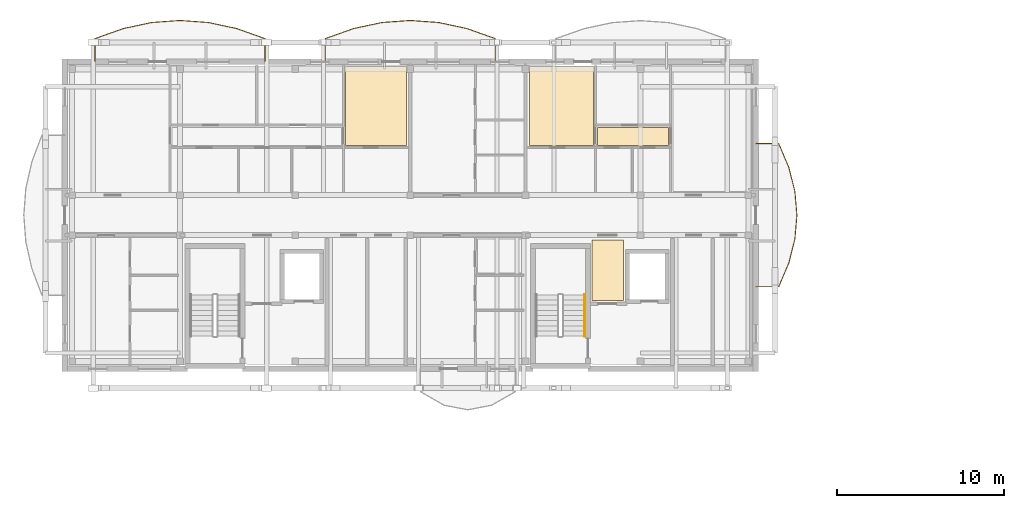
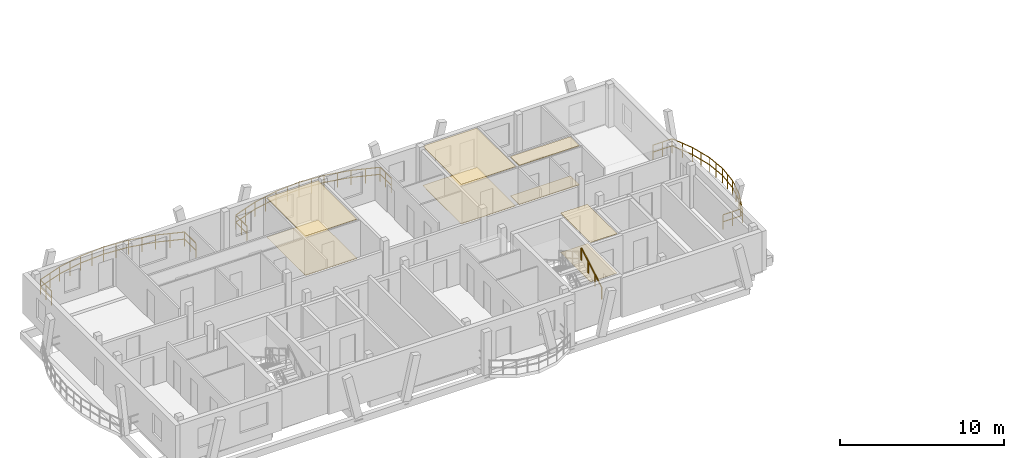
# One storey, part 30 of 33: 8 coverings, 4 railings.
"""IFC4 building model written with IfcOpenShell, lengths in metres."""

from ifc_helpers import new_model, si_unit, direction, frame, origin, origin_2d, place, context, subcontext, project, spatial, polyline, rectangle, outline, extrude, material, layer, layer_set, type_object, element, save


model = new_model("IFC4")

# Units and contexts
model_context = context("Model", 3, precision=1e-05, world=origin(), true_north=direction((0.0, 1.0)))
body_context = subcontext(model_context, "Body", "Model", "MODEL_VIEW")
ifc_project = project(units=[si_unit("LENGTHUNIT", "METRE"), si_unit("AREAUNIT", "SQUARE_METRE"), si_unit("VOLUMEUNIT", "CUBIC_METRE"), si_unit("PLANEANGLEUNIT", "RADIAN"), si_unit("MASSUNIT", "GRAM", prefix="KILO")], contexts=[model_context])

# Site, building, storey
site_placement = place(None, origin())
site = spatial("IfcSite", under=ifc_project, at=site_placement, CompositionType="ELEMENT")
building_placement = place(site_placement, origin())
building = spatial("IfcBuilding", under=site, at=building_placement, Name="Zavelmont Quarter", CompositionType="ELEMENT")
storey_placement = place(building_placement, frame((0.0, 0.0, 30.39990234375)))
storey = spatial("IfcBuildingStorey", under=building, at=storey_placement, Name="L09", CompositionType="ELEMENT", Elevation=30.39990234375)

# Coverings
ifc_material_1 = material(Name="Perforated acoustic gypsum board")
ifc_layer_1 = layer(ifc_material_1, 0.02490234375)
ifc_layer_set_1 = layer_set([ifc_layer_1], Name="Perforated acoustic gypsum board")
covering_type_1 = type_object("IfcCoveringType", Name="CV-CL01", PredefinedType="CEILING", material=ifc_layer_set_1)
covering_1_placement = place(storey_placement, frame((0.0, 0.0, 2.93505859375)))
element("IfcCovering", 1, at=covering_1_placement, inside=storey, type_object=covering_type_1, Name="L09 Lobby Vestibule acoustic ceiling", PredefinedType="CEILING", context=body_context, shape_type="SweptSolid", body=[
    extrude(outline(polyline([(31.580078125, 105.320068359375), (33.469970703125, 105.320068359375), (33.469970703125, 101.679931640625), (31.580078125, 101.679931640625), (31.580078125, 105.320068359375)])), origin(), (0.0, 0.0, 1.0), 0.025146484375),
])
covering_2_placement = place(storey_placement, frame((0.0, 0.0, 2.93505859375)))
element("IfcCovering", 2, at=covering_2_placement, inside=storey, type_object=covering_type_1, Name="L09 Master Bedroom acoustic ceiling", PredefinedType="CEILING", context=body_context, shape_type="SweptSolid", body=[
    extrude(outline(polyline([(16.830078125, 115.719970703125), (20.4599609375, 115.719970703125), (20.4599609375, 115.320068359375), (20.469970703125, 115.320068359375), (20.469970703125, 110.97998046875), (16.830078125, 110.97998046875), (16.830078125, 115.719970703125)])), origin(), (0.0, 0.0, 1.0), 0.025146484375),
])
covering_3_placement = place(storey_placement, frame((0.0, 0.0, 2.93505859375)))
element("IfcCovering", 3, at=covering_3_placement, inside=storey, type_object=covering_type_1, Name="L09 Double Bedroom acoustic ceiling", PredefinedType="CEILING", context=body_context, shape_type="SweptSolid", body=[
    extrude(outline(polyline([(27.830078125, 115.320068359375), (27.840087890625, 115.320068359375), (27.840087890625, 115.719970703125), (31.669921875, 115.719970703125), (31.669921875, 110.97998046875), (27.830078125, 110.97998046875), (27.830078125, 115.320068359375)])), origin(), (0.0, 0.0, 1.0), 0.025146484375),
])
ifc_material_2 = material(Name="Slatted European ash acoustic baffle ceiling")
ifc_layer_2 = layer(ifc_material_2, 0.0400390625)
ifc_layer_set_2 = layer_set([ifc_layer_2], Name="Slatted European ash acoustic baffle ceiling")
covering_type_2 = type_object("IfcCoveringType", Name="CV-CL02", PredefinedType="CEILING", material=ifc_layer_set_2)
covering_4_placement = place(storey_placement, frame((0.0, 0.0, 2.920166015625)))
element("IfcCovering", 4, at=covering_4_placement, inside=storey, type_object=covering_type_2, Name="L09 Apartment Hall acoustic ceiling", PredefinedType="CEILING", context=body_context, shape_type="SweptSolid", body=[
    extrude(outline(polyline([(31.929931640625, 112.070068359375), (36.169921875, 112.070068359375), (36.169921875, 110.97998046875), (31.929931640625, 110.97998046875), (31.929931640625, 112.070068359375)])), origin(), (0.0, 0.0, 1.0), 0.0400390625),
])
ifc_material_3 = material(Name="Engineered European oak parquet")
ifc_layer_3 = layer(ifc_material_3, 0.02197265625)
ifc_layer_set_3 = layer_set([ifc_layer_3], Name="Engineered European oak parquet")
covering_type_3 = type_object("IfcCoveringType", Name="CV-FL01", PredefinedType="FLOORING", material=ifc_layer_set_3)
covering_5_placement = place(storey_placement, origin())
element("IfcCovering", 5, at=covering_5_placement, inside=storey, type_object=covering_type_3, Name="L09 Lobby Vestibule floor finish", PredefinedType="FLOORING", context=body_context, shape_type="SweptSolid", body=[
    extrude(outline(polyline([(31.580078125, 105.320068359375), (33.469970703125, 105.320068359375), (33.469970703125, 101.679931640625), (31.580078125, 101.679931640625), (31.580078125, 105.320068359375)])), origin(), (0.0, 0.0, 1.0), 0.022216796875),
])
covering_6_placement = place(storey_placement, origin())
element("IfcCovering", 6, at=covering_6_placement, inside=storey, type_object=covering_type_3, Name="L09 Master Bedroom floor finish", PredefinedType="FLOORING", context=body_context, shape_type="SweptSolid", body=[
    extrude(outline(polyline([(16.830078125, 115.719970703125), (20.4599609375, 115.719970703125), (20.4599609375, 115.320068359375), (20.469970703125, 115.320068359375), (20.469970703125, 110.97998046875), (16.830078125, 110.97998046875), (16.830078125, 115.719970703125)])), origin(), (0.0, 0.0, 1.0), 0.022216796875),
])
covering_7_placement = place(storey_placement, origin())
element("IfcCovering", 7, at=covering_7_placement, inside=storey, type_object=covering_type_3, Name="L09 Double Bedroom floor finish", PredefinedType="FLOORING", context=body_context, shape_type="SweptSolid", body=[
    extrude(outline(polyline([(27.830078125, 115.320068359375), (27.840087890625, 115.320068359375), (27.840087890625, 115.719970703125), (31.669921875, 115.719970703125), (31.669921875, 110.97998046875), (27.830078125, 110.97998046875), (27.830078125, 115.320068359375)])), origin(), (0.0, 0.0, 1.0), 0.022216796875),
])
ifc_material_4 = material(Name="Honed Belgian bluestone tile", Category="masonry")
ifc_layer_4 = layer(ifc_material_4, 0.030029296875)
ifc_layer_set_4 = layer_set([ifc_layer_4], Name="Honed Belgian bluestone tile")
covering_type_4 = type_object("IfcCoveringType", Name="CV-FL02", PredefinedType="FLOORING", material=ifc_layer_set_4)
covering_8_placement = place(storey_placement, origin())
element("IfcCovering", 8, at=covering_8_placement, inside=storey, type_object=covering_type_4, Name="L09 Apartment Hall floor finish", PredefinedType="FLOORING", context=body_context, shape_type="SweptSolid", body=[
    extrude(outline(polyline([(31.929931640625, 112.070068359375), (36.169921875, 112.070068359375), (36.169921875, 110.97998046875), (31.929931640625, 110.97998046875), (31.929931640625, 112.070068359375)])), origin(), (0.0, 0.0, 1.0), 0.030029296875),
])

# Railings
ifc_material_5 = material(Name="Powder-coated steel and tempered double safety glass", Category="steel")
railing_type_1 = type_object("IfcRailingType", Name="RL-BAL1", PredefinedType="BALUSTRADE", material=ifc_material_5)
railing_1_placement = place(storey_placement, frame((11.99609375, 116.02001953125, 0.0)))
element("IfcRailing", 9, at=railing_1_placement, inside=storey, type_object=railing_type_1, Name="L09 Block B curved balcony guard RL-BAL1", PredefinedType="BALUSTRADE", context=body_context, shape_type="SweptSolid", body=[
    extrude(rectangle(XDim=0.048095703125, YDim=0.048095703125, at=origin_2d()), frame((0.0, 0.0, 1.076171875), z_axis=(0.0, 1.0, 0.0), x_axis=(-1.0, 0.0, 0.0)), (0.0, 0.0, 1.0), 1.364990234375),
    extrude(rectangle(XDim=0.048095703125, YDim=0.048095703125, at=origin_2d()), frame((0.0, 0.0, 0.550048828125), z_axis=(0.0, 1.0, 0.0), x_axis=(-1.0, 0.0, 0.0)), (0.0, 0.0, 1.0), 1.364990234375),
    extrude(rectangle(XDim=0.048095703125, YDim=0.048095703125, at=origin_2d()), frame((0.0, 1.364990234375, 1.076171875), z_axis=(-0.942112057523, 0.335298182324, 0.0), x_axis=(-0.335298182324, -0.942112057523, 0.0)), (0.0, 0.0, 1.0), 1.802734375),
    extrude(rectangle(XDim=0.048095703125, YDim=0.048095703125, at=origin_2d()), frame((0.0, 1.364990234375, 0.550048828125), z_axis=(-0.942112057523, 0.335298182324, 0.0), x_axis=(-0.335298182324, -0.942112057523, 0.0)), (0.0, 0.0, 1.0), 1.802734375),
    extrude(rectangle(XDim=0.048095703125, YDim=0.048095703125, at=origin_2d()), frame((-1.698486328125, 1.969482421875, 1.076171875), z_axis=(-0.977980982234, 0.208694030553, 0.0), x_axis=(-0.208694030553, -0.977980982234, 0.0)), (0.0, 0.0, 1.0), 1.7373046875),
    extrude(rectangle(XDim=0.048095703125, YDim=0.048095703125, at=origin_2d()), frame((-1.698486328125, 1.969482421875, 0.550048828125), z_axis=(-0.977980982234, 0.208694030553, 0.0), x_axis=(-0.208694030553, -0.977980982234, 0.0)), (0.0, 0.0, 1.0), 1.7373046875),
    extrude(rectangle(XDim=0.048095703125, YDim=0.048095703125, at=origin_2d()), frame((-3.3974609375, 2.33203125, 1.076171875), z_axis=(-0.997479034676, 0.070961788181, 0.0), x_axis=(-0.070961788181, -0.997479034676, 0.0)), (0.0, 0.0, 1.0), 1.703125),
    extrude(rectangle(XDim=0.048095703125, YDim=0.048095703125, at=origin_2d()), frame((-3.3974609375, 2.33203125, 0.550048828125), z_axis=(-0.997479034676, 0.070961788181, 0.0), x_axis=(-0.070961788181, -0.997479034676, 0.0)), (0.0, 0.0, 1.0), 1.703125),
    extrude(rectangle(XDim=0.048095703125, YDim=0.048095703125, at=origin_2d()), frame((-5.09619140625, 2.452880859375, 1.076171875), z_axis=(-0.997478312635, -0.070971936863, 0.0), x_axis=(0.070971936863, -0.997478312635, 0.0)), (0.0, 0.0, 1.0), 1.702880859375),
    extrude(rectangle(XDim=0.048095703125, YDim=0.048095703125, at=origin_2d()), frame((-5.09619140625, 2.452880859375, 0.550048828125), z_axis=(-0.997478312635, -0.070971936863, 0.0), x_axis=(0.070971936863, -0.997478312635, 0.0)), (0.0, 0.0, 1.0), 1.702880859375),
    extrude(rectangle(XDim=0.048095703125, YDim=0.048095703125, at=origin_2d()), frame((-6.794677734375, 2.33203125, 1.076171875), z_axis=(-0.977980982234, -0.208694030553, 0.0), x_axis=(0.208694030553, -0.977980982234, 0.0)), (0.0, 0.0, 1.0), 1.7373046875),
    extrude(rectangle(XDim=0.048095703125, YDim=0.048095703125, at=origin_2d()), frame((-6.794677734375, 2.33203125, 0.550048828125), z_axis=(-0.977980982234, -0.208694030553, 0.0), x_axis=(0.208694030553, -0.977980982234, 0.0)), (0.0, 0.0, 1.0), 1.7373046875),
    extrude(rectangle(XDim=0.048095703125, YDim=0.048095703125, at=origin_2d()), frame((-8.49365234375, 1.969482421875, 1.076171875), z_axis=(-0.942127279107, -0.335255410042, 0.0), x_axis=(0.335255410042, -0.942127279107, 0.0)), (0.0, 0.0, 1.0), 1.802978515625),
    extrude(rectangle(XDim=0.048095703125, YDim=0.048095703125, at=origin_2d()), frame((-8.49365234375, 1.969482421875, 0.550048828125), z_axis=(-0.942127279107, -0.335255410042, 0.0), x_axis=(0.335255410042, -0.942127279107, 0.0)), (0.0, 0.0, 1.0), 1.802978515625),
    extrude(rectangle(XDim=0.048095703125, YDim=0.048095703125, at=origin_2d()), frame((-10.1923828125, 1.364990234375, 1.076171875), z_axis=(0.0, -1.0, 0.0), x_axis=(1.0, 0.0, 0.0)), (0.0, 0.0, 1.0), 1.364990234375),
    extrude(rectangle(XDim=0.048095703125, YDim=0.048095703125, at=origin_2d()), frame((-10.1923828125, 1.364990234375, 0.550048828125), z_axis=(0.0, -1.0, 0.0), x_axis=(1.0, 0.0, 0.0)), (0.0, 0.0, 1.0), 1.364990234375),
    extrude(rectangle(XDim=0.0419921875, YDim=0.0419921875, at=origin_2d()), origin(), (0.0, 0.0, 1.0), 1.052001953125),
    extrude(rectangle(XDim=0.0419921875, YDim=0.0419921875, at=origin_2d()), frame((0.0, 0.6826171875, 0.0)), (0.0, 0.0, 1.0), 1.052001953125),
    extrude(rectangle(XDim=0.0419921875, YDim=0.0419921875, at=origin_2d()), frame((0.0, 1.364990234375, 0.0)), (0.0, 0.0, 1.0), 1.052001953125),
    extrude(rectangle(XDim=0.0419921875, YDim=0.0419921875, at=origin_2d()), frame((-0.84912109375, 1.667236328125, 0.0)), (0.0, 0.0, 1.0), 1.052001953125),
    extrude(rectangle(XDim=0.0419921875, YDim=0.0419921875, at=origin_2d()), frame((-1.698486328125, 1.969482421875, 0.0)), (0.0, 0.0, 1.0), 1.052001953125),
    extrude(rectangle(XDim=0.0419921875, YDim=0.0419921875, at=origin_2d()), frame((-2.5478515625, 2.15087890625, 0.0)), (0.0, 0.0, 1.0), 1.052001953125),
    extrude(rectangle(XDim=0.0419921875, YDim=0.0419921875, at=origin_2d()), frame((-3.3974609375, 2.33203125, 0.0)), (0.0, 0.0, 1.0), 1.052001953125),
    extrude(rectangle(XDim=0.0419921875, YDim=0.0419921875, at=origin_2d()), frame((-4.246826171875, 2.392578125, 0.0)), (0.0, 0.0, 1.0), 1.052001953125),
    extrude(rectangle(XDim=0.0419921875, YDim=0.0419921875, at=origin_2d()), frame((-5.09619140625, 2.452880859375, 0.0)), (0.0, 0.0, 1.0), 1.052001953125),
    extrude(rectangle(XDim=0.0419921875, YDim=0.0419921875, at=origin_2d()), frame((-5.9453125, 2.392578125, 0.0)), (0.0, 0.0, 1.0), 1.052001953125),
    extrude(rectangle(XDim=0.0419921875, YDim=0.0419921875, at=origin_2d()), frame((-6.794677734375, 2.33203125, 0.0)), (0.0, 0.0, 1.0), 1.052001953125),
    extrude(rectangle(XDim=0.0419921875, YDim=0.0419921875, at=origin_2d()), frame((-7.64404296875, 2.15087890625, 0.0)), (0.0, 0.0, 1.0), 1.052001953125),
    extrude(rectangle(XDim=0.0419921875, YDim=0.0419921875, at=origin_2d()), frame((-8.49365234375, 1.969482421875, 0.0)), (0.0, 0.0, 1.0), 1.052001953125),
    extrude(rectangle(XDim=0.0419921875, YDim=0.0419921875, at=origin_2d()), frame((-9.343017578125, 1.667236328125, 0.0)), (0.0, 0.0, 1.0), 1.052001953125),
    extrude(rectangle(XDim=0.0419921875, YDim=0.0419921875, at=origin_2d()), frame((-10.1923828125, 1.364990234375, 0.0)), (0.0, 0.0, 1.0), 1.052001953125),
    extrude(rectangle(XDim=0.0419921875, YDim=0.0419921875, at=origin_2d()), frame((-10.1923828125, 0.6826171875, 0.0)), (0.0, 0.0, 1.0), 1.052001953125),
    extrude(rectangle(XDim=0.0419921875, YDim=0.0419921875, at=origin_2d()), frame((-10.1923828125, 0.0, 0.0)), (0.0, 0.0, 1.0), 1.052001953125),
])
railing_2_placement = place(storey_placement, frame((25.796142578125, 116.02001953125, 0.0)))
element("IfcRailing", 10, at=railing_2_placement, inside=storey, type_object=railing_type_1, Name="L09 Block B curved balcony guard RL-BAL1", PredefinedType="BALUSTRADE", context=body_context, shape_type="SweptSolid", body=[
    extrude(rectangle(XDim=0.048095703125, YDim=0.048095703125, at=origin_2d()), frame((0.0, 0.0, 1.076171875), z_axis=(0.0, 1.0, 0.0), x_axis=(-1.0, 0.0, 0.0)), (0.0, 0.0, 1.0), 1.364990234375),
    extrude(rectangle(XDim=0.048095703125, YDim=0.048095703125, at=origin_2d()), frame((0.0, 0.0, 0.550048828125), z_axis=(0.0, 1.0, 0.0), x_axis=(-1.0, 0.0, 0.0)), (0.0, 0.0, 1.0), 1.364990234375),
    extrude(rectangle(XDim=0.048095703125, YDim=0.048095703125, at=origin_2d()), frame((0.0, 1.364990234375, 1.076171875), z_axis=(-0.942127279107, 0.335255410042, 0.0), x_axis=(-0.335255410042, -0.942127279107, 0.0)), (0.0, 0.0, 1.0), 1.802978515625),
    extrude(rectangle(XDim=0.048095703125, YDim=0.048095703125, at=origin_2d()), frame((0.0, 1.364990234375, 0.550048828125), z_axis=(-0.942127279107, 0.335255410042, 0.0), x_axis=(-0.335255410042, -0.942127279107, 0.0)), (0.0, 0.0, 1.0), 1.802978515625),
    extrude(rectangle(XDim=0.048095703125, YDim=0.048095703125, at=origin_2d()), frame((-1.69873046875, 1.969482421875, 1.076171875), z_axis=(-0.977974860236, 0.208722717369, 0.0), x_axis=(-0.208722717369, -0.977974860236, 0.0)), (0.0, 0.0, 1.0), 1.737060546875),
    extrude(rectangle(XDim=0.048095703125, YDim=0.048095703125, at=origin_2d()), frame((-1.69873046875, 1.969482421875, 0.550048828125), z_axis=(-0.977974860236, 0.208722717369, 0.0), x_axis=(-0.208722717369, -0.977974860236, 0.0)), (0.0, 0.0, 1.0), 1.737060546875),
    extrude(rectangle(XDim=0.048095703125, YDim=0.048095703125, at=origin_2d()), frame((-3.3974609375, 2.33203125, 1.076171875), z_axis=(-0.997479034676, 0.070961788181, 0.0), x_axis=(-0.070961788181, -0.997479034676, 0.0)), (0.0, 0.0, 1.0), 1.703125),
    extrude(rectangle(XDim=0.048095703125, YDim=0.048095703125, at=origin_2d()), frame((-3.3974609375, 2.33203125, 0.550048828125), z_axis=(-0.997479034676, 0.070961788181, 0.0), x_axis=(-0.070961788181, -0.997479034676, 0.0)), (0.0, 0.0, 1.0), 1.703125),
    extrude(rectangle(XDim=0.048095703125, YDim=0.048095703125, at=origin_2d()), frame((-5.09619140625, 2.452880859375, 1.076171875), z_axis=(-0.997479034676, -0.070961788181, 0.0), x_axis=(0.070961788181, -0.997479034676, 0.0)), (0.0, 0.0, 1.0), 1.703125),
    extrude(rectangle(XDim=0.048095703125, YDim=0.048095703125, at=origin_2d()), frame((-5.09619140625, 2.452880859375, 0.550048828125), z_axis=(-0.997479034676, -0.070961788181, 0.0), x_axis=(0.070961788181, -0.997479034676, 0.0)), (0.0, 0.0, 1.0), 1.703125),
    extrude(rectangle(XDim=0.048095703125, YDim=0.048095703125, at=origin_2d()), frame((-6.794921875, 2.33203125, 1.076171875), z_axis=(-0.977974860236, -0.208722717369, 0.0), x_axis=(0.208722717369, -0.977974860236, 0.0)), (0.0, 0.0, 1.0), 1.737060546875),
    extrude(rectangle(XDim=0.048095703125, YDim=0.048095703125, at=origin_2d()), frame((-6.794921875, 2.33203125, 0.550048828125), z_axis=(-0.977974860236, -0.208722717369, 0.0), x_axis=(0.208722717369, -0.977974860236, 0.0)), (0.0, 0.0, 1.0), 1.737060546875),
    extrude(rectangle(XDim=0.048095703125, YDim=0.048095703125, at=origin_2d()), frame((-8.49365234375, 1.969482421875, 1.076171875), z_axis=(-0.942127279107, -0.335255410042, 0.0), x_axis=(0.335255410042, -0.942127279107, 0.0)), (0.0, 0.0, 1.0), 1.802978515625),
    extrude(rectangle(XDim=0.048095703125, YDim=0.048095703125, at=origin_2d()), frame((-8.49365234375, 1.969482421875, 0.550048828125), z_axis=(-0.942127279107, -0.335255410042, 0.0), x_axis=(0.335255410042, -0.942127279107, 0.0)), (0.0, 0.0, 1.0), 1.802978515625),
    extrude(rectangle(XDim=0.048095703125, YDim=0.048095703125, at=origin_2d()), frame((-10.1923828125, 1.364990234375, 1.076171875), z_axis=(0.0, -1.0, 0.0), x_axis=(1.0, 0.0, 0.0)), (0.0, 0.0, 1.0), 1.364990234375),
    extrude(rectangle(XDim=0.048095703125, YDim=0.048095703125, at=origin_2d()), frame((-10.1923828125, 1.364990234375, 0.550048828125), z_axis=(0.0, -1.0, 0.0), x_axis=(1.0, 0.0, 0.0)), (0.0, 0.0, 1.0), 1.364990234375),
    extrude(rectangle(XDim=0.0419921875, YDim=0.0419921875, at=origin_2d()), origin(), (0.0, 0.0, 1.0), 1.052001953125),
    extrude(rectangle(XDim=0.0419921875, YDim=0.0419921875, at=origin_2d()), frame((0.0, 0.6826171875, 0.0)), (0.0, 0.0, 1.0), 1.052001953125),
    extrude(rectangle(XDim=0.0419921875, YDim=0.0419921875, at=origin_2d()), frame((0.0, 1.364990234375, 0.0)), (0.0, 0.0, 1.0), 1.052001953125),
    extrude(rectangle(XDim=0.0419921875, YDim=0.0419921875, at=origin_2d()), frame((-0.849365234375, 1.667236328125, 0.0)), (0.0, 0.0, 1.0), 1.052001953125),
    extrude(rectangle(XDim=0.0419921875, YDim=0.0419921875, at=origin_2d()), frame((-1.69873046875, 1.969482421875, 0.0)), (0.0, 0.0, 1.0), 1.052001953125),
    extrude(rectangle(XDim=0.0419921875, YDim=0.0419921875, at=origin_2d()), frame((-2.548095703125, 2.15087890625, 0.0)), (0.0, 0.0, 1.0), 1.052001953125),
    extrude(rectangle(XDim=0.0419921875, YDim=0.0419921875, at=origin_2d()), frame((-3.3974609375, 2.33203125, 0.0)), (0.0, 0.0, 1.0), 1.052001953125),
    extrude(rectangle(XDim=0.0419921875, YDim=0.0419921875, at=origin_2d()), frame((-4.246826171875, 2.392578125, 0.0)), (0.0, 0.0, 1.0), 1.052001953125),
    extrude(rectangle(XDim=0.0419921875, YDim=0.0419921875, at=origin_2d()), frame((-5.09619140625, 2.452880859375, 0.0)), (0.0, 0.0, 1.0), 1.052001953125),
    extrude(rectangle(XDim=0.0419921875, YDim=0.0419921875, at=origin_2d()), frame((-5.945556640625, 2.392578125, 0.0)), (0.0, 0.0, 1.0), 1.052001953125),
    extrude(rectangle(XDim=0.0419921875, YDim=0.0419921875, at=origin_2d()), frame((-6.794921875, 2.33203125, 0.0)), (0.0, 0.0, 1.0), 1.052001953125),
    extrude(rectangle(XDim=0.0419921875, YDim=0.0419921875, at=origin_2d()), frame((-7.644287109375, 2.15087890625, 0.0)), (0.0, 0.0, 1.0), 1.052001953125),
    extrude(rectangle(XDim=0.0419921875, YDim=0.0419921875, at=origin_2d()), frame((-8.49365234375, 1.969482421875, 0.0)), (0.0, 0.0, 1.0), 1.052001953125),
    extrude(rectangle(XDim=0.0419921875, YDim=0.0419921875, at=origin_2d()), frame((-9.343017578125, 1.667236328125, 0.0)), (0.0, 0.0, 1.0), 1.052001953125),
    extrude(rectangle(XDim=0.0419921875, YDim=0.0419921875, at=origin_2d()), frame((-10.1923828125, 1.364990234375, 0.0)), (0.0, 0.0, 1.0), 1.052001953125),
    extrude(rectangle(XDim=0.0419921875, YDim=0.0419921875, at=origin_2d()), frame((-10.1923828125, 0.6826171875, 0.0)), (0.0, 0.0, 1.0), 1.052001953125),
    extrude(rectangle(XDim=0.0419921875, YDim=0.0419921875, at=origin_2d()), frame((-10.1923828125, 0.0, 0.0)), (0.0, 0.0, 1.0), 1.052001953125),
])
railing_3_placement = place(storey_placement, frame((41.419921875, 102.51171875, 0.0)))
element("IfcRailing", 11, at=railing_3_placement, inside=storey, type_object=railing_type_1, Name="L09 Block B curved balcony guard RL-BAL1", PredefinedType="BALUSTRADE", context=body_context, shape_type="SweptSolid", body=[
    extrude(rectangle(XDim=0.048095703125, YDim=0.048095703125, at=origin_2d()), frame((0.0, 0.0, 1.076171875), z_axis=(1.0, 0.0, 0.0), x_axis=(0.0, 1.0, 0.0)), (0.0, 0.0, 1.0), 1.364990234375),
    extrude(rectangle(XDim=0.048095703125, YDim=0.048095703125, at=origin_2d()), frame((0.0, 0.0, 0.550048828125), z_axis=(1.0, 0.0, 0.0), x_axis=(0.0, 1.0, 0.0)), (0.0, 0.0, 1.0), 1.364990234375),
    extrude(rectangle(XDim=0.048095703125, YDim=0.048095703125, at=origin_2d()), frame((1.364990234375, 0.0, 1.076171875), z_axis=(0.389491166196, 0.921030201163, 0.0), x_axis=(-0.921030201163, 0.389491166196, 0.0)), (0.0, 0.0, 1.0), 1.552001953125),
    extrude(rectangle(XDim=0.048095703125, YDim=0.048095703125, at=origin_2d()), frame((1.364990234375, 0.0, 0.550048828125), z_axis=(0.389491166196, 0.921030201163, 0.0), x_axis=(-0.921030201163, 0.389491166196, 0.0)), (0.0, 0.0, 1.0), 1.552001953125),
    extrude(rectangle(XDim=0.048095703125, YDim=0.048095703125, at=origin_2d()), frame((1.969482421875, 1.429443359375, 1.076171875), z_axis=(0.246000796646, 0.969269626084, 0.0), x_axis=(-0.969269626084, 0.246000796646, 0.0)), (0.0, 0.0, 1.0), 1.474853515625),
    extrude(rectangle(XDim=0.048095703125, YDim=0.048095703125, at=origin_2d()), frame((1.969482421875, 1.429443359375, 0.550048828125), z_axis=(0.246000796646, 0.969269626084, 0.0), x_axis=(-0.969269626084, 0.246000796646, 0.0)), (0.0, 0.0, 1.0), 1.474853515625),
    extrude(rectangle(XDim=0.048095703125, YDim=0.048095703125, at=origin_2d()), frame((2.332275390625, 2.85888671875, 1.076171875), z_axis=(0.084242597914, 0.996445274311, 0.0), x_axis=(-0.996445274311, 0.084242597914, 0.0)), (0.0, 0.0, 1.0), 1.4345703125),
    extrude(rectangle(XDim=0.048095703125, YDim=0.048095703125, at=origin_2d()), frame((2.332275390625, 2.85888671875, 0.550048828125), z_axis=(0.084242597914, 0.996445274311, 0.0), x_axis=(-0.996445274311, 0.084242597914, 0.0)), (0.0, 0.0, 1.0), 1.4345703125),
    extrude(rectangle(XDim=0.048095703125, YDim=0.048095703125, at=origin_2d()), frame((2.453125, 4.288330078125, 1.076171875), z_axis=(-0.084242597914, 0.996445274311, 0.0), x_axis=(-0.996445274311, -0.084242597914, 0.0)), (0.0, 0.0, 1.0), 1.4345703125),
    extrude(rectangle(XDim=0.048095703125, YDim=0.048095703125, at=origin_2d()), frame((2.453125, 4.288330078125, 0.550048828125), z_axis=(-0.084242597914, 0.996445274311, 0.0), x_axis=(-0.996445274311, -0.084242597914, 0.0)), (0.0, 0.0, 1.0), 1.4345703125),
    extrude(rectangle(XDim=0.048095703125, YDim=0.048095703125, at=origin_2d()), frame((2.332275390625, 5.7177734375, 1.076171875), z_axis=(-0.246040275657, 0.969259605449, 0.0), x_axis=(-0.969259605449, -0.246040275657, 0.0)), (0.0, 0.0, 1.0), 1.474609375),
    extrude(rectangle(XDim=0.048095703125, YDim=0.048095703125, at=origin_2d()), frame((2.332275390625, 5.7177734375, 0.550048828125), z_axis=(-0.246040275657, 0.969259605449, 0.0), x_axis=(-0.969259605449, -0.246040275657, 0.0)), (0.0, 0.0, 1.0), 1.474609375),
    extrude(rectangle(XDim=0.048095703125, YDim=0.048095703125, at=origin_2d()), frame((1.969482421875, 7.14697265625, 1.076171875), z_axis=(-0.389491166196, 0.921030201163, 0.0), x_axis=(-0.921030201163, -0.389491166196, 0.0)), (0.0, 0.0, 1.0), 1.552001953125),
    extrude(rectangle(XDim=0.048095703125, YDim=0.048095703125, at=origin_2d()), frame((1.969482421875, 7.14697265625, 0.550048828125), z_axis=(-0.389491166196, 0.921030201163, 0.0), x_axis=(-0.921030201163, -0.389491166196, 0.0)), (0.0, 0.0, 1.0), 1.552001953125),
    extrude(rectangle(XDim=0.048095703125, YDim=0.048095703125, at=origin_2d()), frame((1.364990234375, 8.576416015625, 1.076171875), z_axis=(-1.0, 0.0, 0.0), x_axis=(0.0, -1.0, 0.0)), (0.0, 0.0, 1.0), 1.364990234375),
    extrude(rectangle(XDim=0.048095703125, YDim=0.048095703125, at=origin_2d()), frame((1.364990234375, 8.576416015625, 0.550048828125), z_axis=(-1.0, 0.0, 0.0), x_axis=(0.0, -1.0, 0.0)), (0.0, 0.0, 1.0), 1.364990234375),
    extrude(rectangle(XDim=0.0419921875, YDim=0.0419921875, at=origin_2d()), origin(), (0.0, 0.0, 1.0), 1.052001953125),
    extrude(rectangle(XDim=0.0419921875, YDim=0.0419921875, at=origin_2d()), frame((0.6826171875, 0.0, 0.0)), (0.0, 0.0, 1.0), 1.052001953125),
    extrude(rectangle(XDim=0.0419921875, YDim=0.0419921875, at=origin_2d()), frame((1.364990234375, 0.0, 0.0)), (0.0, 0.0, 1.0), 1.052001953125),
    extrude(rectangle(XDim=0.0419921875, YDim=0.0419921875, at=origin_2d()), frame((1.667236328125, 0.71484375, 0.0)), (0.0, 0.0, 1.0), 1.052001953125),
    extrude(rectangle(XDim=0.0419921875, YDim=0.0419921875, at=origin_2d()), frame((1.969482421875, 1.429443359375, 0.0)), (0.0, 0.0, 1.0), 1.052001953125),
    extrude(rectangle(XDim=0.0419921875, YDim=0.0419921875, at=origin_2d()), frame((2.15087890625, 2.14404296875, 0.0)), (0.0, 0.0, 1.0), 1.052001953125),
    extrude(rectangle(XDim=0.0419921875, YDim=0.0419921875, at=origin_2d()), frame((2.332275390625, 2.85888671875, 0.0)), (0.0, 0.0, 1.0), 1.052001953125),
    extrude(rectangle(XDim=0.0419921875, YDim=0.0419921875, at=origin_2d()), frame((2.392578125, 3.57373046875, 0.0)), (0.0, 0.0, 1.0), 1.052001953125),
    extrude(rectangle(XDim=0.0419921875, YDim=0.0419921875, at=origin_2d()), frame((2.453125, 4.288330078125, 0.0)), (0.0, 0.0, 1.0), 1.052001953125),
    extrude(rectangle(XDim=0.0419921875, YDim=0.0419921875, at=origin_2d()), frame((2.392578125, 5.0029296875, 0.0)), (0.0, 0.0, 1.0), 1.052001953125),
    extrude(rectangle(XDim=0.0419921875, YDim=0.0419921875, at=origin_2d()), frame((2.332275390625, 5.7177734375, 0.0)), (0.0, 0.0, 1.0), 1.052001953125),
    extrude(rectangle(XDim=0.0419921875, YDim=0.0419921875, at=origin_2d()), frame((2.15087890625, 6.432373046875, 0.0)), (0.0, 0.0, 1.0), 1.052001953125),
    extrude(rectangle(XDim=0.0419921875, YDim=0.0419921875, at=origin_2d()), frame((1.969482421875, 7.14697265625, 0.0)), (0.0, 0.0, 1.0), 1.052001953125),
    extrude(rectangle(XDim=0.0419921875, YDim=0.0419921875, at=origin_2d()), frame((1.667236328125, 7.86181640625, 0.0)), (0.0, 0.0, 1.0), 1.052001953125),
    extrude(rectangle(XDim=0.0419921875, YDim=0.0419921875, at=origin_2d()), frame((1.364990234375, 8.576416015625, 0.0)), (0.0, 0.0, 1.0), 1.052001953125),
    extrude(rectangle(XDim=0.0419921875, YDim=0.0419921875, at=origin_2d()), frame((0.6826171875, 8.576416015625, 0.0)), (0.0, 0.0, 1.0), 1.052001953125),
    extrude(rectangle(XDim=0.0419921875, YDim=0.0419921875, at=origin_2d()), frame((0.0, 8.576416015625, 0.0)), (0.0, 0.0, 1.0), 1.052001953125),
])
ifc_material_6 = material(Name="Brushed stainless-steel wall handrail", Category="steel")
railing_type_2 = type_object("IfcRailingType", Name="RL-HND1", PredefinedType="HANDRAIL", material=ifc_material_6)
railing_4_placement = place(storey_placement, frame((31.14990234375, 99.550048828125, 0.177978515625)))
element("IfcRailing", 12, at=railing_4_placement, inside=storey, type_object=railing_type_2, Name="L09 ST04 stair handrail 1", PredefinedType="HANDRAIL", context=body_context, shape_type="SweptSolid", body=[
    extrude(rectangle(XDim=0.048095703125, YDim=0.048095703125, at=origin_2d()), frame((0.0, 0.0, 0.8759765625), z_axis=(0.0, 0.867490628297, 0.497453525283), x_axis=(-1.0, 0.0, 0.0)), (0.0, 0.0, 1.0), 2.85888671875),
    extrude(rectangle(XDim=0.0419921875, YDim=0.0419921875, at=origin_2d()), origin(), (0.0, 0.0, 1.0), 0.851806640625),
    extrude(rectangle(XDim=0.0419921875, YDim=0.0419921875, at=origin_2d()), frame((0.0, 0.82666015625, 0.47412109375)), (0.0, 0.0, 1.0), 0.851806640625),
    extrude(rectangle(XDim=0.0419921875, YDim=0.0419921875, at=origin_2d()), frame((0.0, 1.6533203125, 0.947998046875)), (0.0, 0.0, 1.0), 0.851806640625),
    extrude(rectangle(XDim=0.0419921875, YDim=0.0419921875, at=origin_2d()), frame((0.0, 2.47998046875, 1.422119140625)), (0.0, 0.0, 1.0), 0.851806640625),
])

save(model, "model.ifc")
